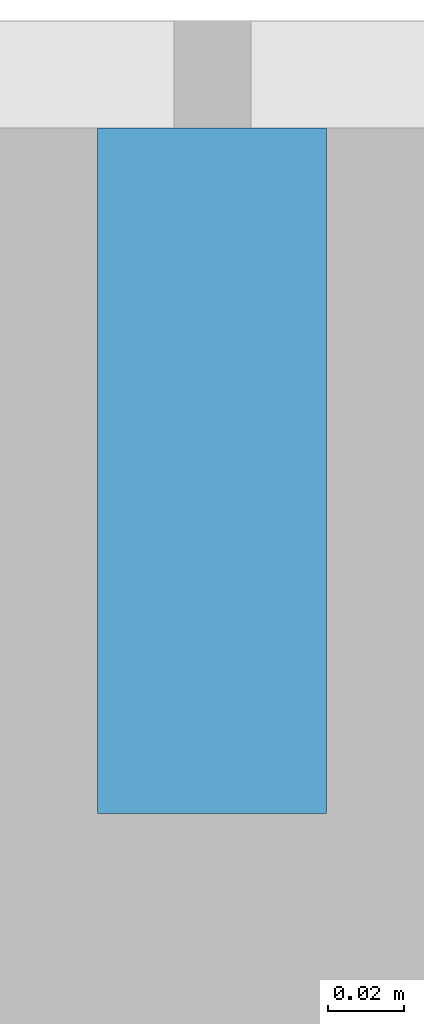
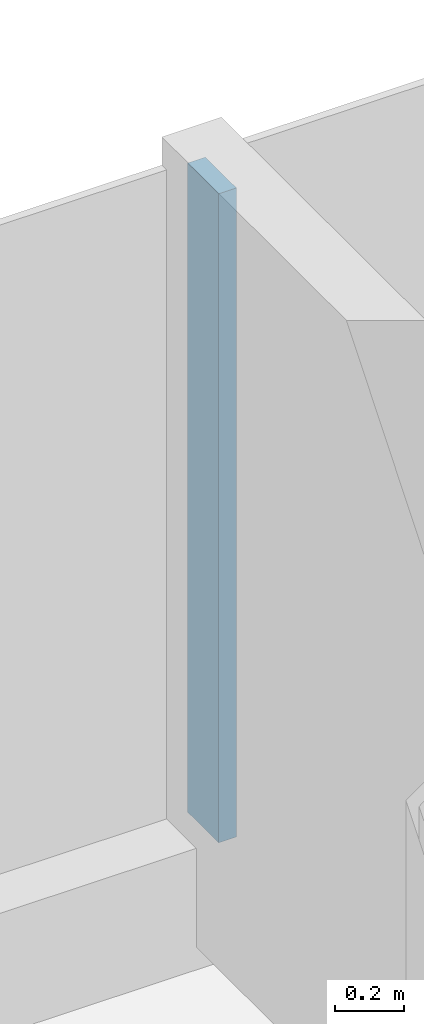
# One storey, part 8 of 26: 1 member, 1 element without a shape of its own.
"""IFC4 building model written with IfcOpenShell, lengths in metres."""

from ifc_helpers import new_model, si_unit, direction, frame, origin, origin_2d, place, context, subcontext, project, spatial, rectangle, extrude, material, layer, layer_set, material_profile, profile_set, type_object, element, aggregate, save


model = new_model("IFC4")

# Units and contexts
model_context = context("Model", 3, precision=1e-05, world=origin(), true_north=direction((0.0, 1.0)))
body_context = subcontext(model_context, "Body", "Model", "MODEL_VIEW")
ifc_project = project(units=[si_unit("LENGTHUNIT", "METRE"), si_unit("AREAUNIT", "SQUARE_METRE"), si_unit("VOLUMEUNIT", "CUBIC_METRE"), si_unit("PLANEANGLEUNIT", "RADIAN"), si_unit("MASSUNIT", "GRAM", prefix="KILO")], contexts=[model_context])

# Site, building, storey
site_placement = place(None, origin())
site = spatial("IfcSite", under=ifc_project, at=site_placement, CompositionType="ELEMENT")
building_placement = place(site_placement, origin())
building = spatial("IfcBuilding", under=site, at=building_placement, Name="Hakoniwa Tower and Hamabe Station Hall", CompositionType="ELEMENT")
storey_placement = place(building_placement, frame((0.0, 0.0, 156.60009765625)))
storey = spatial("IfcBuildingStorey", under=building, at=storey_placement, Name="L44", CompositionType="ELEMENT", Elevation=156.60009765625)

# Curtain wall, member
ifc_material_1 = material(Name="Dark low-e laminated glass", Category="glass")
ifc_layer = layer(ifc_material_1, 0.199951171875)
ifc_layer_set = layer_set([ifc_layer], Name="CW-1 UNITISED GUEST")
curtain_wall_type = type_object("IfcCurtainWallType", Name="CW-1 UNITISED GUEST", PredefinedType="NOTDEFINED", material=ifc_layer_set)
curtain_wall_placement = place(storey_placement, origin())
curtain_wall = element("IfcCurtainWall", 1, at=curtain_wall_placement, inside=storey, type_object=curtain_wall_type, Name="CW-1 curtain wall", PredefinedType="NOTDEFINED")
ifc_material_2 = material(Name="Aluminium 6063-T5 black anodised", Category="aluminium")
ifc_material_profile = material_profile(ifc_material_2, rectangle(XDim=0.06005859375, YDim=0.179931640625, at=origin_2d()), Name="CW-1 MULLION 60X180")
ifc_profile_set = profile_set([ifc_material_profile], Name="Aluminium 6063-T5 black anodised")
member_type = type_object("IfcMemberType", Name="CW-1 MULLION 60X180", PredefinedType="MULLION", material=ifc_profile_set)
member_placement = place(storey_placement, frame((8.39990234375, 18.181884765625, 0.349853515625), z_axis=(0.0, 0.0, 1.0), x_axis=(-1.0, 0.0, 0.0)))
member = element("IfcMember", 2, at=member_placement, type_object=member_type, Name="CW-1 mullion", PredefinedType="MULLION", context=body_context, shape_type="SweptSolid", body=[
    extrude(rectangle(XDim=0.06005859375, YDim=0.179931640625, at=origin_2d()), origin(), (0.0, 0.0, 1.0), 2.300048828125),
])
aggregate(curtain_wall, [member])

save(model, "model.ifc")
